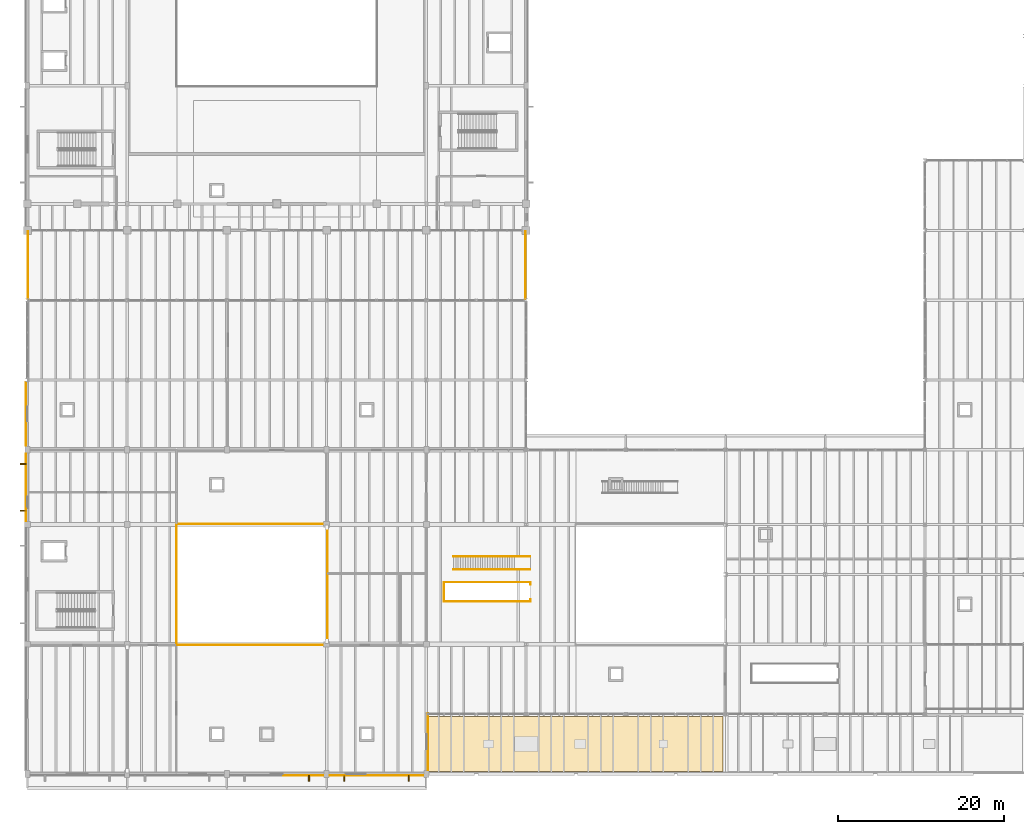
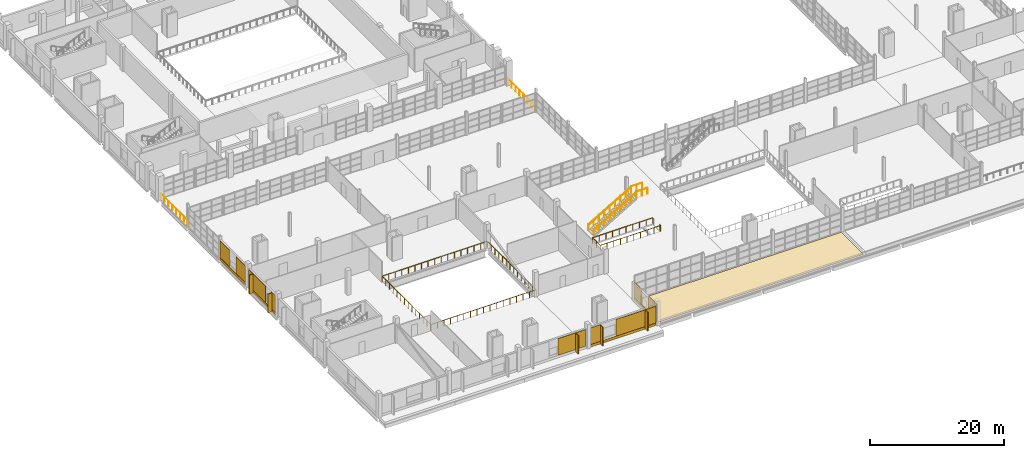
# One storey, part 102 of 114: 19 coverings, 9 railings, 5 shading devices.
"""IFC4 building model written with IfcOpenShell, lengths in metres."""

from ifc_helpers import new_model, si_unit, direction, frame, origin, origin_2d, place, context, subcontext, project, spatial, polyline, rectangle, circle, outline, extrude, material, layer, layer_set, type_object, element, save


model = new_model("IFC4")

# Units and contexts
model_context = context("Model", 3, precision=1e-05, world=origin(), true_north=direction((0.0, 1.0)))
body_context = subcontext(model_context, "Body", "Model", "MODEL_VIEW")
ifc_project = project(units=[si_unit("LENGTHUNIT", "METRE"), si_unit("AREAUNIT", "SQUARE_METRE"), si_unit("VOLUMEUNIT", "CUBIC_METRE"), si_unit("PLANEANGLEUNIT", "RADIAN"), si_unit("MASSUNIT", "GRAM", prefix="KILO")], contexts=[model_context])

# Site, building, storey
site_placement = place(None, origin())
site = spatial("IfcSite", under=ifc_project, at=site_placement, CompositionType="ELEMENT")
building_placement = place(site_placement, origin())
building = spatial("IfcBuilding", under=site, at=building_placement, Name="Kelmvaro Bay Concert Hall", CompositionType="ELEMENT")
storey_placement = place(building_placement, frame((0.0, 0.0, 4.800048828125)))
storey = spatial("IfcBuildingStorey", under=building, at=storey_placement, Name="L01", CompositionType="ELEMENT", Elevation=4.800048828125)

# Railings
ifc_material_1 = material(Name="Architectural Bronze and Laminated Glass", Category="glass")
railing_type_1 = type_object("IfcRailingType", Name="Auditorium Balcony Acoustic Brass Guard 1120", PredefinedType="BALUSTRADE", material=ifc_material_1)
railing_1_placement = place(storey_placement, frame((17.919921875, 15.52001953125, 0.0)))
element("IfcRailing", 1, at=railing_1_placement, inside=storey, type_object=railing_type_1, Name="L01 Balcony Guard 016", PredefinedType="BALUSTRADE", context=body_context, shape_type="SweptSolid", body=[
    extrude(circle(Radius=0.02392578125, at=origin_2d()), frame((0.0, 0.0, 1.09619140625), z_axis=(1.0, 0.0, 0.0), x_axis=(0.0, 1.0, 0.0)), (0.0, 0.0, 1.0), 18.16015625),
    extrude(circle(Radius=0.02392578125, at=origin_2d()), frame((18.16015625, 0.0, 1.09619140625), z_axis=(0.0, 1.0, 0.0), x_axis=(-1.0, 0.0, 0.0)), (0.0, 0.0, 1.0), 14.530029296875),
    extrude(circle(Radius=0.02099609375, at=origin_2d()), origin(), (0.0, 0.0, 1.0), 1.072021484375),
    extrude(circle(Radius=0.02099609375, at=origin_2d()), frame((1.135009765625, 0.0, 0.0)), (0.0, 0.0, 1.0), 1.072021484375),
    extrude(circle(Radius=0.02099609375, at=origin_2d()), frame((2.27001953125, 0.0, 0.0)), (0.0, 0.0, 1.0), 1.072021484375),
    extrude(circle(Radius=0.02099609375, at=origin_2d()), frame((3.405029296875, 0.0, 0.0)), (0.0, 0.0, 1.0), 1.072021484375),
    extrude(circle(Radius=0.02099609375, at=origin_2d()), frame((4.5400390625, 0.0, 0.0)), (0.0, 0.0, 1.0), 1.072021484375),
    extrude(circle(Radius=0.02099609375, at=origin_2d()), frame((5.675048828125, 0.0, 0.0)), (0.0, 0.0, 1.0), 1.072021484375),
    extrude(circle(Radius=0.02099609375, at=origin_2d()), frame((6.81005859375, 0.0, 0.0)), (0.0, 0.0, 1.0), 1.072021484375),
    extrude(circle(Radius=0.02099609375, at=origin_2d()), frame((7.945068359375, 0.0, 0.0)), (0.0, 0.0, 1.0), 1.072021484375),
    extrude(circle(Radius=0.02099609375, at=origin_2d()), frame((9.080078125, 0.0, 0.0)), (0.0, 0.0, 1.0), 1.072021484375),
    extrude(circle(Radius=0.02099609375, at=origin_2d()), frame((10.215087890625, 0.0, 0.0)), (0.0, 0.0, 1.0), 1.072021484375),
    extrude(circle(Radius=0.02099609375, at=origin_2d()), frame((11.35009765625, 0.0, 0.0)), (0.0, 0.0, 1.0), 1.072021484375),
    extrude(circle(Radius=0.02099609375, at=origin_2d()), frame((12.485107421875, 0.0, 0.0)), (0.0, 0.0, 1.0), 1.072021484375),
    extrude(circle(Radius=0.02099609375, at=origin_2d()), frame((13.6201171875, 0.0, 0.0)), (0.0, 0.0, 1.0), 1.072021484375),
    extrude(circle(Radius=0.02099609375, at=origin_2d()), frame((14.755126953125, 0.0, 0.0)), (0.0, 0.0, 1.0), 1.072021484375),
    extrude(circle(Radius=0.02099609375, at=origin_2d()), frame((15.89013671875, 0.0, 0.0)), (0.0, 0.0, 1.0), 1.072021484375),
    extrude(circle(Radius=0.02099609375, at=origin_2d()), frame((17.025146484375, 0.0, 0.0)), (0.0, 0.0, 1.0), 1.072021484375),
    extrude(circle(Radius=0.02099609375, at=origin_2d()), frame((18.16015625, 0.0, 0.0)), (0.0, 0.0, 1.0), 1.072021484375),
    extrude(circle(Radius=0.02099609375, at=origin_2d()), frame((18.16015625, 1.11767578125, 0.0)), (0.0, 0.0, 1.0), 1.072021484375),
    extrude(circle(Radius=0.02099609375, at=origin_2d()), frame((18.16015625, 2.2353515625, 0.0)), (0.0, 0.0, 1.0), 1.072021484375),
    extrude(circle(Radius=0.02099609375, at=origin_2d()), frame((18.16015625, 3.35302734375, 0.0)), (0.0, 0.0, 1.0), 1.072021484375),
    extrude(circle(Radius=0.02099609375, at=origin_2d()), frame((18.16015625, 4.470703125, 0.0)), (0.0, 0.0, 1.0), 1.072021484375),
    extrude(circle(Radius=0.02099609375, at=origin_2d()), frame((18.16015625, 5.58837890625, 0.0)), (0.0, 0.0, 1.0), 1.072021484375),
    extrude(circle(Radius=0.02099609375, at=origin_2d()), frame((18.16015625, 6.7060546875, 0.0)), (0.0, 0.0, 1.0), 1.072021484375),
    extrude(circle(Radius=0.02099609375, at=origin_2d()), frame((18.16015625, 7.823974609375, 0.0)), (0.0, 0.0, 1.0), 1.072021484375),
    extrude(circle(Radius=0.02099609375, at=origin_2d()), frame((18.16015625, 8.941650390625, 0.0)), (0.0, 0.0, 1.0), 1.072021484375),
    extrude(circle(Radius=0.02099609375, at=origin_2d()), frame((18.16015625, 10.059326171875, 0.0)), (0.0, 0.0, 1.0), 1.072021484375),
    extrude(circle(Radius=0.02099609375, at=origin_2d()), frame((18.16015625, 11.177001953125, 0.0)), (0.0, 0.0, 1.0), 1.072021484375),
    extrude(circle(Radius=0.02099609375, at=origin_2d()), frame((18.16015625, 12.294677734375, 0.0)), (0.0, 0.0, 1.0), 1.072021484375),
    extrude(circle(Radius=0.02099609375, at=origin_2d()), frame((18.16015625, 13.412353515625, 0.0)), (0.0, 0.0, 1.0), 1.072021484375),
    extrude(circle(Radius=0.02099609375, at=origin_2d()), frame((18.16015625, 14.530029296875, 0.0)), (0.0, 0.0, 1.0), 1.072021484375),
])
railing_2_placement = place(storey_placement, frame((36.050048828125, 30.080078125, 0.0)))
element("IfcRailing", 2, at=railing_2_placement, inside=storey, type_object=railing_type_1, Name="L01 Balcony Guard 017", PredefinedType="BALUSTRADE", context=body_context, shape_type="SweptSolid", body=[
    extrude(circle(Radius=0.02392578125, at=origin_2d()), frame((0.0, 0.0, 1.09619140625), z_axis=(-1.0, 0.0, 0.0), x_axis=(0.0, -1.0, 0.0)), (0.0, 0.0, 1.0), 18.130126953125),
    extrude(circle(Radius=0.02392578125, at=origin_2d()), frame((-18.130126953125, 0.0, 1.09619140625), z_axis=(0.0, -1.0, 0.0), x_axis=(1.0, 0.0, 0.0)), (0.0, 0.0, 1.0), 14.530029296875),
    extrude(circle(Radius=0.02099609375, at=origin_2d()), origin(), (0.0, 0.0, 1.0), 1.072021484375),
    extrude(circle(Radius=0.02099609375, at=origin_2d()), frame((-1.133056640625, 0.0, 0.0)), (0.0, 0.0, 1.0), 1.072021484375),
    extrude(circle(Radius=0.02099609375, at=origin_2d()), frame((-2.266357421875, 0.0, 0.0)), (0.0, 0.0, 1.0), 1.072021484375),
    extrude(circle(Radius=0.02099609375, at=origin_2d()), frame((-3.3994140625, 0.0, 0.0)), (0.0, 0.0, 1.0), 1.072021484375),
    extrude(circle(Radius=0.02099609375, at=origin_2d()), frame((-4.532470703125, 0.0, 0.0)), (0.0, 0.0, 1.0), 1.072021484375),
    extrude(circle(Radius=0.02099609375, at=origin_2d()), frame((-5.665771484375, 0.0, 0.0)), (0.0, 0.0, 1.0), 1.072021484375),
    extrude(circle(Radius=0.02099609375, at=origin_2d()), frame((-6.798828125, 0.0, 0.0)), (0.0, 0.0, 1.0), 1.072021484375),
    extrude(circle(Radius=0.02099609375, at=origin_2d()), frame((-7.931884765625, 0.0, 0.0)), (0.0, 0.0, 1.0), 1.072021484375),
    extrude(circle(Radius=0.02099609375, at=origin_2d()), frame((-9.06494140625, 0.0, 0.0)), (0.0, 0.0, 1.0), 1.072021484375),
    extrude(circle(Radius=0.02099609375, at=origin_2d()), frame((-10.1982421875, 0.0, 0.0)), (0.0, 0.0, 1.0), 1.072021484375),
    extrude(circle(Radius=0.02099609375, at=origin_2d()), frame((-11.331298828125, 0.0, 0.0)), (0.0, 0.0, 1.0), 1.072021484375),
    extrude(circle(Radius=0.02099609375, at=origin_2d()), frame((-12.46435546875, 0.0, 0.0)), (0.0, 0.0, 1.0), 1.072021484375),
    extrude(circle(Radius=0.02099609375, at=origin_2d()), frame((-13.59765625, 0.0, 0.0)), (0.0, 0.0, 1.0), 1.072021484375),
    extrude(circle(Radius=0.02099609375, at=origin_2d()), frame((-14.730712890625, 0.0, 0.0)), (0.0, 0.0, 1.0), 1.072021484375),
    extrude(circle(Radius=0.02099609375, at=origin_2d()), frame((-15.86376953125, 0.0, 0.0)), (0.0, 0.0, 1.0), 1.072021484375),
    extrude(circle(Radius=0.02099609375, at=origin_2d()), frame((-16.9970703125, 0.0, 0.0)), (0.0, 0.0, 1.0), 1.072021484375),
    extrude(circle(Radius=0.02099609375, at=origin_2d()), frame((-18.130126953125, 0.0, 0.0)), (0.0, 0.0, 1.0), 1.072021484375),
    extrude(circle(Radius=0.02099609375, at=origin_2d()), frame((-18.130126953125, -1.11767578125, 0.0)), (0.0, 0.0, 1.0), 1.072021484375),
    extrude(circle(Radius=0.02099609375, at=origin_2d()), frame((-18.130126953125, -2.2353515625, 0.0)), (0.0, 0.0, 1.0), 1.072021484375),
    extrude(circle(Radius=0.02099609375, at=origin_2d()), frame((-18.130126953125, -3.35302734375, 0.0)), (0.0, 0.0, 1.0), 1.072021484375),
    extrude(circle(Radius=0.02099609375, at=origin_2d()), frame((-18.130126953125, -4.470703125, 0.0)), (0.0, 0.0, 1.0), 1.072021484375),
    extrude(circle(Radius=0.02099609375, at=origin_2d()), frame((-18.130126953125, -5.58837890625, 0.0)), (0.0, 0.0, 1.0), 1.072021484375),
    extrude(circle(Radius=0.02099609375, at=origin_2d()), frame((-18.130126953125, -6.7060546875, 0.0)), (0.0, 0.0, 1.0), 1.072021484375),
    extrude(circle(Radius=0.02099609375, at=origin_2d()), frame((-18.130126953125, -7.823974609375, 0.0)), (0.0, 0.0, 1.0), 1.072021484375),
    extrude(circle(Radius=0.02099609375, at=origin_2d()), frame((-18.130126953125, -8.941650390625, 0.0)), (0.0, 0.0, 1.0), 1.072021484375),
    extrude(circle(Radius=0.02099609375, at=origin_2d()), frame((-18.130126953125, -10.059326171875, 0.0)), (0.0, 0.0, 1.0), 1.072021484375),
    extrude(circle(Radius=0.02099609375, at=origin_2d()), frame((-18.130126953125, -11.177001953125, 0.0)), (0.0, 0.0, 1.0), 1.072021484375),
    extrude(circle(Radius=0.02099609375, at=origin_2d()), frame((-18.130126953125, -12.294677734375, 0.0)), (0.0, 0.0, 1.0), 1.072021484375),
    extrude(circle(Radius=0.02099609375, at=origin_2d()), frame((-18.130126953125, -13.412353515625, 0.0)), (0.0, 0.0, 1.0), 1.072021484375),
    extrude(circle(Radius=0.02099609375, at=origin_2d()), frame((-18.130126953125, -14.530029296875, 0.0)), (0.0, 0.0, 1.0), 1.072021484375),
])

# Shading devices
ifc_material_2 = material(Name="Anodised Extruded Aluminium 6063-T6", Category="aluminium")
ifc_layer_1 = layer(ifc_material_2, 3.39990234375)
ifc_layer_set_1 = layer_set([ifc_layer_1], Name="Anodised Extruded Aluminium 6063-T6")
shading_device_type = type_object("IfcShadingDeviceType", Name="Bauhaus Vertical Solar Brise-Soleil Fin 720x3400", PredefinedType="SHUTTER", material=ifc_layer_set_1)
for number, where, z_axis, x_axis, name in (
    (3, (33.8759765625, -0.506103515625, 0.06005859375), (0.0, 0.0, 1.0), (-1.0, 0.0, 0.0), "L01 Solar Brise-Soleil Fin 106"),
    (4, (45.8759765625, -0.506103515625, 0.06005859375), (0.0, 0.0, 1.0), (-1.0, 0.0, 0.0), "L01 Solar Brise-Soleil Fin 108"),
    (5, (38.1240234375, -0.506103515625, 0.06005859375), (0.0, 0.0, 1.0), (-1.0, 0.0, 0.0), "L01 Solar Brise-Soleil Fin 109"),
    (6, (-0.506103515625, 31.669921875, 0.06005859375), (0.0, 0.0, 1.0), (0.0, 1.0, 0.0), "L01 Solar Brise-Soleil Fin 112"),
    (7, (-0.506103515625, 37.280029296875, 0.06005859375), (0.0, 0.0, 1.0), (0.0, 1.0, 0.0), "L01 Solar Brise-Soleil Fin 113"),
):
    element("IfcShadingDevice", number, at=place(storey_placement, frame(where, z_axis=z_axis, x_axis=x_axis)), inside=storey, type_object=shading_device_type, Name=name, PredefinedType="SHUTTER", context=body_context, shape_type="SweptSolid", body=[
        extrude(rectangle(XDim=0.159912109375, YDim=0.719970703125, at=origin_2d()), origin(), (0.0, 0.0, 1.0), 3.39990234375),
    ])

# Coverings
ifc_material_3 = material(Name="PVDF-Coated Architectural Aluminium", Category="aluminium")
ifc_layer_2 = layer(ifc_material_3, 0.0400390625)
ifc_layer_set_2 = layer_set([ifc_layer_2], Name="PVDF-Coated Architectural Aluminium")
covering_type_1 = type_object("IfcCoveringType", Name="De Stijl Enamelled Aluminium Fascia Panel 40", PredefinedType="CLADDING", material=ifc_layer_set_2)
for number, where, z_axis, x_axis, name in (
    (8, (33.8759765625, -0.506103515625, 0.06005859375), (0.0, 0.0, 1.0), (-1.0, 0.0, 0.0), "L01 Architectural Vertical Fin Cladding 0540"),
    (9, (45.8759765625, -0.506103515625, 0.06005859375), (0.0, 0.0, 1.0), (-1.0, 0.0, 0.0), "L01 Architectural Vertical Fin Cladding 0545"),
    (10, (38.1240234375, -0.506103515625, 0.06005859375), (0.0, 0.0, 1.0), (-1.0, 0.0, 0.0), "L01 Architectural Vertical Fin Cladding 0546"),
    (11, (-0.506103515625, 31.669921875, 0.06005859375), (0.0, 0.0, 1.0), (0.0, 1.0, 0.0), "L01 Architectural Vertical Fin Cladding 0561"),
    (12, (-0.506103515625, 37.280029296875, 0.06005859375), (0.0, 0.0, 1.0), (0.0, 1.0, 0.0), "L01 Architectural Vertical Fin Cladding 0562"),
):
    element("IfcCovering", number, at=place(storey_placement, frame(where, z_axis=z_axis, x_axis=x_axis)), inside=storey, type_object=covering_type_1, Name=name, PredefinedType="CLADDING", context=body_context, shape_type="SweptSolid", body=[
        extrude(rectangle(XDim=0.139892578125, YDim=0.699951171875, at=origin_2d()), origin(), (0.0, 0.0, 1.0), 3.39990234375),
    ])
ifc_material_4 = material(Name="Honed Florida Limestone Travertine", Category="masonry")
ifc_layer_3 = layer(ifc_material_4, 0.054931640625)
ifc_layer_set_3 = layer_set([ifc_layer_3], Name="Honed Florida Limestone Travertine")
covering_type_2 = type_object("IfcCoveringType", Name="Honed Florida Travertine Rainscreen Cladding 55", PredefinedType="CLADDING", material=ifc_layer_set_3)
covering_1_placement = place(storey_placement, frame((33.2099609375, -0.175537109375, 0.52001953125), z_axis=(0.0, 0.0, 1.0), x_axis=(-1.0, 0.0, 0.0)))
element("IfcCovering", 13, at=covering_1_placement, inside=storey, type_object=covering_type_2, Name="L01 Travertine Pier Panel 0542", PredefinedType="CLADDING", context=body_context, shape_type="SweptSolid", body=[
    extrude(rectangle(XDim=4.820068359375, YDim=0.054931640625, at=origin_2d()), origin(), (0.0, 0.0, 1.0), 3.04296875),
])
covering_2_placement = place(storey_placement, frame((42.0, -0.175537109375, 0.0400390625), z_axis=(0.0, 0.0, 1.0), x_axis=(-1.0, 0.0, 0.0)))
element("IfcCovering", 14, at=covering_2_placement, inside=storey, type_object=covering_type_2, Name="L01 Travertine Sill Band 0544", PredefinedType="CLADDING", context=body_context, shape_type="SweptSolid", body=[
    extrude(rectangle(XDim=11.280029296875, YDim=0.054931640625, at=origin_2d()), origin(), (0.0, 0.0, 1.0), 0.4599609375),
])
covering_3_placement = place(storey_placement, frame((44.2060546875, -0.175537109375, 0.52001953125), z_axis=(0.0, 0.0, 1.0), x_axis=(-1.0, 0.0, 0.0)))
element("IfcCovering", 15, at=covering_3_placement, inside=storey, type_object=covering_type_2, Name="L01 Travertine Pier Panel 0547", PredefinedType="CLADDING", context=body_context, shape_type="SweptSolid", body=[
    extrude(rectangle(XDim=6.827880859375, YDim=0.054931640625, at=origin_2d()), origin(), (0.0, 0.0, 1.0), 3.04296875),
])
covering_4_placement = place(storey_placement, frame((37.285888671875, -0.175537109375, 0.52001953125), z_axis=(0.0, 0.0, 1.0), x_axis=(-1.0, 0.0, 0.0)))
element("IfcCovering", 16, at=covering_4_placement, inside=storey, type_object=covering_type_2, Name="L01 Travertine Pier Panel 0548", PredefinedType="CLADDING", context=body_context, shape_type="SweptSolid", body=[
    extrude(rectangle(XDim=1.81201171875, YDim=0.054931640625, at=origin_2d()), origin(), (0.0, 0.0, 1.0), 3.04296875),
])
covering_5_placement = place(storey_placement, frame((48.175537109375, 3.875, 0.0400390625), z_axis=(0.0, 0.0, 1.0), x_axis=(0.0, -1.0, 0.0)))
element("IfcCovering", 17, at=covering_5_placement, inside=storey, type_object=covering_type_2, Name="L01 Travertine Sill Band 0552", PredefinedType="CLADDING", context=body_context, shape_type="SweptSolid", body=[
    extrude(rectangle(XDim=6.830078125, YDim=0.054931640625, at=origin_2d()), origin(), (0.0, 0.0, 1.0), 0.4599609375),
])
for number, where, z_axis, x_axis, name in (
    (18, (48.175537109375, 6.072509765625, 0.52001953125), (0.0, 0.0, 1.0), (0.0, -1.0, 0.0), "L01 Travertine Pier Panel 0553"),
    (19, (48.175537109375, 1.677490234375, 0.52001953125), (0.0, 0.0, 1.0), (0.0, -1.0, 0.0), "L01 Travertine Pier Panel 0554"),
):
    element("IfcCovering", number, at=place(storey_placement, frame(where, z_axis=z_axis, x_axis=x_axis)), inside=storey, type_object=covering_type_2, Name=name, PredefinedType="CLADDING", context=body_context, shape_type="SweptSolid", body=[
        extrude(rectangle(XDim=2.39501953125, YDim=0.054931640625, at=origin_2d()), origin(), (0.0, 0.0, 1.0), 2.803955078125),
    ])
covering_6_placement = place(storey_placement, frame((-0.175537109375, 34.47509765625, 0.0400390625), z_axis=(0.0, 0.0, 1.0), x_axis=(0.0, 1.0, 0.0)))
element("IfcCovering", 20, at=covering_6_placement, inside=storey, type_object=covering_type_2, Name="L01 Travertine Sill Band 0560", PredefinedType="CLADDING", context=body_context, shape_type="SweptSolid", body=[
    extrude(rectangle(XDim=8.1298828125, YDim=0.054931640625, at=origin_2d()), origin(), (0.0, 0.0, 1.0), 0.4599609375),
])
covering_7_placement = place(storey_placement, frame((-0.175537109375, 31.157470703125, 0.52001953125), z_axis=(0.0, 0.0, 1.0), x_axis=(0.0, 1.0, 0.0)))
element("IfcCovering", 21, at=covering_7_placement, inside=storey, type_object=covering_type_2, Name="L01 Travertine Pier Panel 0563", PredefinedType="CLADDING", context=body_context, shape_type="SweptSolid", body=[
    extrude(rectangle(XDim=1.455078125, YDim=0.054931640625, at=origin_2d()), origin(), (0.0, 0.0, 1.0), 3.0390625),
])
covering_8_placement = place(storey_placement, frame((-0.175537109375, 35.9775390625, 0.52001953125), z_axis=(0.0, 0.0, 1.0), x_axis=(0.0, 1.0, 0.0)))
element("IfcCovering", 22, at=covering_8_placement, inside=storey, type_object=covering_type_2, Name="L01 Travertine Pier Panel 0564", PredefinedType="CLADDING", context=body_context, shape_type="SweptSolid", body=[
    extrude(rectangle(XDim=5.0849609375, YDim=0.054931640625, at=origin_2d()), origin(), (0.0, 0.0, 1.0), 3.0390625),
])
covering_9_placement = place(storey_placement, frame((-0.175537109375, 43.306884765625, 0.0400390625), z_axis=(0.0, 0.0, 1.0), x_axis=(0.0, 1.0, 0.0)))
element("IfcCovering", 23, at=covering_9_placement, inside=storey, type_object=covering_type_2, Name="L01 Travertine Sill Band 0968", PredefinedType="CLADDING", context=body_context, shape_type="SweptSolid", body=[
    extrude(rectangle(XDim=7.694091796875, YDim=0.054931640625, at=origin_2d()), origin(), (0.0, 0.0, 1.0), 0.4599609375),
])
for number, where, z_axis, x_axis, name in (
    (24, (-0.175537109375, 40.893310546875, 0.52001953125), (0.0, 0.0, 1.0), (0.0, 1.0, 0.0), "L01 Travertine Pier Panel 0969"),
    (25, (-0.175537109375, 45.72021484375, 0.52001953125), (0.0, 0.0, 1.0), (0.0, 1.0, 0.0), "L01 Travertine Pier Panel 0970"),
):
    element("IfcCovering", number, at=place(storey_placement, frame(where, z_axis=z_axis, x_axis=x_axis)), inside=storey, type_object=covering_type_2, Name=name, PredefinedType="CLADDING", context=body_context, shape_type="SweptSolid", body=[
        extrude(rectangle(XDim=2.826904296875, YDim=0.054931640625, at=origin_2d()), origin(), (0.0, 0.0, 1.0), 3.048095703125),
    ])
ifc_material_5 = material(Name="White Reflective SBS Roofing Membrane")
ifc_layer_4 = layer(ifc_material_5, 0.06494140625)
ifc_layer_set_4 = layer_set([ifc_layer_4], Name="White Reflective SBS Roofing Membrane")
covering_type_3 = type_object("IfcCoveringType", Name="SBS Modified Bitumen Cool Roof Membrane 65", PredefinedType="ROOFING", material=ifc_layer_set_4)
covering_10_placement = place(storey_placement, frame((0.0, 0.0, 0.06005859375)))
element("IfcCovering", 26, at=covering_10_placement, inside=storey, type_object=covering_type_3, Name="L01 Cool Roof Membrane 07", PredefinedType="ROOFING", context=body_context, shape_type="SweptSolid", body=[
    extrude(outline(polyline([(48.300048828125, 0.300048828125), (83.699951171875, 0.300048828125), (83.699951171875, 6.89990234375), (48.300048828125, 6.89990234375), (48.300048828125, 0.300048828125)])), origin(), (0.0, 0.0, 1.0), 0.06494140625),
])

# Railings
ifc_material_6 = material(Name="Brushed Stainless Steel 316", Category="steel")
railing_type_2 = type_object("IfcRailingType", Name="Stair Stainless Wall Handrail 900", PredefinedType="HANDRAIL", material=ifc_material_6)
for number, where, name in (
    (27, (51.239990234375, 24.614990234375, 0.173095703125), "L01 FS-02 Handrail R"),
    (28, (51.239990234375, 26.18505859375, 0.173095703125), "L01 FS-02 Handrail L"),
):
    element("IfcRailing", number, at=place(storey_placement, frame(where)), inside=storey, type_object=railing_type_2, Name=name, PredefinedType="HANDRAIL", context=body_context, shape_type="SweptSolid", body=[
        extrude(circle(Radius=0.02392578125, at=origin_2d()), frame((0.0, 0.0, 0.8759765625), z_axis=(0.862512776103, 0.0, 0.506035286377), x_axis=(0.0, 1.0, 0.0)), (0.0, 0.0, 1.0), 8.550537109375),
        extrude(circle(Radius=0.02099609375, at=origin_2d()), origin(), (0.0, 0.0, 1.0), 0.851806640625),
        extrude(circle(Radius=0.02099609375, at=origin_2d()), frame((0.921875, 0.0, 0.540771484375)), (0.0, 0.0, 1.0), 0.851806640625),
        extrude(circle(Radius=0.02099609375, at=origin_2d()), frame((1.84375, 0.0, 1.081787109375)), (0.0, 0.0, 1.0), 0.851806640625),
        extrude(circle(Radius=0.02099609375, at=origin_2d()), frame((2.765625, 0.0, 1.62255859375)), (0.0, 0.0, 1.0), 0.851806640625),
        extrude(circle(Radius=0.02099609375, at=origin_2d()), frame((3.6875, 0.0, 2.16357421875)), (0.0, 0.0, 1.0), 0.851806640625),
        extrude(circle(Radius=0.02099609375, at=origin_2d()), frame((4.609375, 0.0, 2.704345703125)), (0.0, 0.0, 1.0), 0.851806640625),
        extrude(circle(Radius=0.02099609375, at=origin_2d()), frame((5.53125, 0.0, 3.2451171875)), (0.0, 0.0, 1.0), 0.851806640625),
        extrude(circle(Radius=0.02099609375, at=origin_2d()), frame((6.453125, 0.0, 3.7861328125)), (0.0, 0.0, 1.0), 0.851806640625),
        extrude(circle(Radius=0.02099609375, at=origin_2d()), frame((7.375, 0.0, 4.326904296875)), (0.0, 0.0, 1.0), 0.851806640625),
    ])
ifc_material_7 = material(Name="Powder-Coated Steel ASTM A500", Category="steel")
railing_type_3 = type_object("IfcRailingType", Name="Stair Well Painted Steel Guard 1100", PredefinedType="BALUSTRADE", material=ifc_material_7)
railing_3_placement = place(storey_placement, frame((51.239990234375, 24.614990234375, 0.173095703125)))
element("IfcRailing", 29, at=railing_3_placement, inside=storey, type_object=railing_type_3, Name="L01 FS-02 Flight and Landing Guard R", PredefinedType="BALUSTRADE", context=body_context, shape_type="SweptSolid", body=[
    extrude(circle(Radius=0.02392578125, at=origin_2d()), frame((0.0, 0.0, 1.076171875), z_axis=(0.862512776103, 0.0, 0.506035286377), x_axis=(0.0, 1.0, 0.0)), (0.0, 0.0, 1.0), 8.550537109375),
    extrude(circle(Radius=0.02392578125, at=origin_2d()), frame((7.375, 0.0, 5.40283203125), z_axis=(1.0, 0.0, 0.0), x_axis=(0.0, 1.0, 0.0)), (0.0, 0.0, 1.0), 1.885009765625),
    extrude(circle(Radius=0.02099609375, at=origin_2d()), origin(), (0.0, 0.0, 1.0), 1.052001953125),
    extrude(circle(Radius=0.02099609375, at=origin_2d()), frame((0.921875, 0.0, 0.540771484375)), (0.0, 0.0, 1.0), 1.052001953125),
    extrude(circle(Radius=0.02099609375, at=origin_2d()), frame((1.84375, 0.0, 1.081787109375)), (0.0, 0.0, 1.0), 1.052001953125),
    extrude(circle(Radius=0.02099609375, at=origin_2d()), frame((2.765625, 0.0, 1.62255859375)), (0.0, 0.0, 1.0), 1.052001953125),
    extrude(circle(Radius=0.02099609375, at=origin_2d()), frame((3.6875, 0.0, 2.16357421875)), (0.0, 0.0, 1.0), 1.052001953125),
    extrude(circle(Radius=0.02099609375, at=origin_2d()), frame((4.609375, 0.0, 2.704345703125)), (0.0, 0.0, 1.0), 1.052001953125),
    extrude(circle(Radius=0.02099609375, at=origin_2d()), frame((5.53125, 0.0, 3.2451171875)), (0.0, 0.0, 1.0), 1.052001953125),
    extrude(circle(Radius=0.02099609375, at=origin_2d()), frame((6.453125, 0.0, 3.7861328125)), (0.0, 0.0, 1.0), 1.052001953125),
    extrude(circle(Radius=0.02099609375, at=origin_2d()), frame((7.375, 0.0, 4.326904296875)), (0.0, 0.0, 1.0), 1.052001953125),
    extrude(circle(Radius=0.02099609375, at=origin_2d()), frame((8.3173828125, 0.0, 4.326904296875)), (0.0, 0.0, 1.0), 1.052001953125),
    extrude(circle(Radius=0.02099609375, at=origin_2d()), frame((9.260009765625, 0.0, 4.326904296875)), (0.0, 0.0, 1.0), 1.052001953125),
])
railing_4_placement = place(storey_placement, frame((51.239990234375, 26.18505859375, 0.173095703125)))
element("IfcRailing", 30, at=railing_4_placement, inside=storey, type_object=railing_type_3, Name="L01 FS-02 Flight and Landing Guard L", PredefinedType="BALUSTRADE", context=body_context, shape_type="SweptSolid", body=[
    extrude(circle(Radius=0.02392578125, at=origin_2d()), frame((0.0, 0.0, 1.076171875), z_axis=(0.862512776103, 0.0, 0.506035286377), x_axis=(0.0, 1.0, 0.0)), (0.0, 0.0, 1.0), 8.550537109375),
    extrude(circle(Radius=0.02392578125, at=origin_2d()), frame((7.375, 0.0, 5.40283203125), z_axis=(1.0, 0.0, 0.0), x_axis=(0.0, 1.0, 0.0)), (0.0, 0.0, 1.0), 1.885009765625),
    extrude(circle(Radius=0.02099609375, at=origin_2d()), origin(), (0.0, 0.0, 1.0), 1.052001953125),
    extrude(circle(Radius=0.02099609375, at=origin_2d()), frame((0.921875, 0.0, 0.540771484375)), (0.0, 0.0, 1.0), 1.052001953125),
    extrude(circle(Radius=0.02099609375, at=origin_2d()), frame((1.84375, 0.0, 1.081787109375)), (0.0, 0.0, 1.0), 1.052001953125),
    extrude(circle(Radius=0.02099609375, at=origin_2d()), frame((2.765625, 0.0, 1.62255859375)), (0.0, 0.0, 1.0), 1.052001953125),
    extrude(circle(Radius=0.02099609375, at=origin_2d()), frame((3.6875, 0.0, 2.16357421875)), (0.0, 0.0, 1.0), 1.052001953125),
    extrude(circle(Radius=0.02099609375, at=origin_2d()), frame((4.609375, 0.0, 2.704345703125)), (0.0, 0.0, 1.0), 1.052001953125),
    extrude(circle(Radius=0.02099609375, at=origin_2d()), frame((5.53125, 0.0, 3.2451171875)), (0.0, 0.0, 1.0), 1.052001953125),
    extrude(circle(Radius=0.02099609375, at=origin_2d()), frame((6.453125, 0.0, 3.7861328125)), (0.0, 0.0, 1.0), 1.052001953125),
    extrude(circle(Radius=0.02099609375, at=origin_2d()), frame((7.375, 0.0, 4.326904296875)), (0.0, 0.0, 1.0), 1.052001953125),
    extrude(circle(Radius=0.02099609375, at=origin_2d()), frame((8.3173828125, 0.0, 4.326904296875)), (0.0, 0.0, 1.0), 1.052001953125),
    extrude(circle(Radius=0.02099609375, at=origin_2d()), frame((9.260009765625, 0.0, 4.326904296875)), (0.0, 0.0, 1.0), 1.052001953125),
])
railing_5_placement = place(storey_placement, frame((60.5400390625, 21.02001953125, 0.0)))
element("IfcRailing", 31, at=railing_5_placement, inside=storey, type_object=railing_type_3, Name="L01 Feature Stair FS-01 Well Guard", PredefinedType="BALUSTRADE", context=body_context, shape_type="SweptSolid", body=[
    extrude(circle(Radius=0.02392578125, at=origin_2d()), frame((0.0, 0.0, 1.076171875), z_axis=(0.0, -1.0, 0.0), x_axis=(1.0, 0.0, 0.0)), (0.0, 0.0, 1.0), 0.280029296875),
    extrude(circle(Radius=0.02392578125, at=origin_2d()), frame((0.0, -0.280029296875, 1.076171875), z_axis=(-1.0, 0.0, 0.0), x_axis=(0.0, -1.0, 0.0)), (0.0, 0.0, 1.0), 10.400146484375),
    extrude(circle(Radius=0.02392578125, at=origin_2d()), frame((-10.400146484375, -0.280029296875, 1.076171875), z_axis=(0.0, 1.0, 0.0), x_axis=(-1.0, 0.0, 0.0)), (0.0, 0.0, 1.0), 2.320068359375),
    extrude(circle(Radius=0.02392578125, at=origin_2d()), frame((-10.400146484375, 2.0400390625, 1.076171875), z_axis=(1.0, 0.0, 0.0), x_axis=(0.0, 1.0, 0.0)), (0.0, 0.0, 1.0), 10.400146484375),
    extrude(circle(Radius=0.02392578125, at=origin_2d()), frame((0.0, 2.0400390625, 1.076171875), z_axis=(0.0, -1.0, 0.0), x_axis=(1.0, 0.0, 0.0)), (0.0, 0.0, 1.0), 0.280029296875),
    extrude(circle(Radius=0.02099609375, at=origin_2d()), origin(), (0.0, 0.0, 1.0), 1.052001953125),
    extrude(circle(Radius=0.02099609375, at=origin_2d()), frame((0.0, -0.280029296875, 0.0)), (0.0, 0.0, 1.0), 1.052001953125),
    extrude(circle(Radius=0.02099609375, at=origin_2d()), frame((-1.155517578125, -0.280029296875, 0.0)), (0.0, 0.0, 1.0), 1.052001953125),
    extrude(circle(Radius=0.02099609375, at=origin_2d()), frame((-2.31103515625, -0.280029296875, 0.0)), (0.0, 0.0, 1.0), 1.052001953125),
    extrude(circle(Radius=0.02099609375, at=origin_2d()), frame((-3.466796875, -0.280029296875, 0.0)), (0.0, 0.0, 1.0), 1.052001953125),
    extrude(circle(Radius=0.02099609375, at=origin_2d()), frame((-4.622314453125, -0.280029296875, 0.0)), (0.0, 0.0, 1.0), 1.052001953125),
    extrude(circle(Radius=0.02099609375, at=origin_2d()), frame((-5.77783203125, -0.280029296875, 0.0)), (0.0, 0.0, 1.0), 1.052001953125),
    extrude(circle(Radius=0.02099609375, at=origin_2d()), frame((-6.933349609375, -0.280029296875, 0.0)), (0.0, 0.0, 1.0), 1.052001953125),
    extrude(circle(Radius=0.02099609375, at=origin_2d()), frame((-8.089111328125, -0.280029296875, 0.0)), (0.0, 0.0, 1.0), 1.052001953125),
    extrude(circle(Radius=0.02099609375, at=origin_2d()), frame((-9.24462890625, -0.280029296875, 0.0)), (0.0, 0.0, 1.0), 1.052001953125),
    extrude(circle(Radius=0.02099609375, at=origin_2d()), frame((-10.400146484375, -0.280029296875, 0.0)), (0.0, 0.0, 1.0), 1.052001953125),
    extrude(circle(Radius=0.02099609375, at=origin_2d()), frame((-10.400146484375, 0.8798828125, 0.0)), (0.0, 0.0, 1.0), 1.052001953125),
    extrude(circle(Radius=0.02099609375, at=origin_2d()), frame((-10.400146484375, 2.0400390625, 0.0)), (0.0, 0.0, 1.0), 1.052001953125),
    extrude(circle(Radius=0.02099609375, at=origin_2d()), frame((-9.24462890625, 2.0400390625, 0.0)), (0.0, 0.0, 1.0), 1.052001953125),
    extrude(circle(Radius=0.02099609375, at=origin_2d()), frame((-8.089111328125, 2.0400390625, 0.0)), (0.0, 0.0, 1.0), 1.052001953125),
    extrude(circle(Radius=0.02099609375, at=origin_2d()), frame((-6.933349609375, 2.0400390625, 0.0)), (0.0, 0.0, 1.0), 1.052001953125),
    extrude(circle(Radius=0.02099609375, at=origin_2d()), frame((-5.77783203125, 2.0400390625, 0.0)), (0.0, 0.0, 1.0), 1.052001953125),
    extrude(circle(Radius=0.02099609375, at=origin_2d()), frame((-4.622314453125, 2.0400390625, 0.0)), (0.0, 0.0, 1.0), 1.052001953125),
    extrude(circle(Radius=0.02099609375, at=origin_2d()), frame((-3.466796875, 2.0400390625, 0.0)), (0.0, 0.0, 1.0), 1.052001953125),
    extrude(circle(Radius=0.02099609375, at=origin_2d()), frame((-2.31103515625, 2.0400390625, 0.0)), (0.0, 0.0, 1.0), 1.052001953125),
    extrude(circle(Radius=0.02099609375, at=origin_2d()), frame((-1.155517578125, 2.0400390625, 0.0)), (0.0, 0.0, 1.0), 1.052001953125),
    extrude(circle(Radius=0.02099609375, at=origin_2d()), frame((0.0, 2.0400390625, 0.0)), (0.0, 0.0, 1.0), 1.052001953125),
    extrude(circle(Radius=0.02099609375, at=origin_2d()), frame((0.0, 1.760009765625, 0.0)), (0.0, 0.0, 1.0), 1.052001953125),
])
ifc_material_8 = material(Name="Stainless Steel 316 and Laminated Glass", Category="steel")
railing_type_4 = type_object("IfcRailingType", Name="Waterfront Terrace Laminated Glass Guard 1100", PredefinedType="BALUSTRADE", material=ifc_material_8)
for number, where, name in (
    (32, (0.080078125, 57.1201171875, 0.0), "L01 Terrace Guard 001"),
    (33, (59.919921875, 57.1201171875, 0.0), "L01 Terrace Guard 002"),
):
    element("IfcRailing", number, at=place(storey_placement, frame(where)), inside=storey, type_object=railing_type_4, Name=name, PredefinedType="BALUSTRADE", context=body_context, shape_type="SweptSolid", body=[
        extrude(circle(Radius=0.02392578125, at=origin_2d()), frame((0.0, 0.0, 1.076171875), z_axis=(0.0, 1.0, 0.0), x_axis=(-1.0, 0.0, 0.0)), (0.0, 0.0, 1.0), 8.159912109375),
        extrude(circle(Radius=0.02099609375, at=origin_2d()), origin(), (0.0, 0.0, 1.0), 1.052001953125),
        extrude(circle(Radius=0.02099609375, at=origin_2d()), frame((0.0, 1.165771484375, 0.0)), (0.0, 0.0, 1.0), 1.052001953125),
        extrude(circle(Radius=0.02099609375, at=origin_2d()), frame((0.0, 2.331298828125, 0.0)), (0.0, 0.0, 1.0), 1.052001953125),
        extrude(circle(Radius=0.02099609375, at=origin_2d()), frame((0.0, 3.4970703125, 0.0)), (0.0, 0.0, 1.0), 1.052001953125),
        extrude(circle(Radius=0.02099609375, at=origin_2d()), frame((0.0, 4.662841796875, 0.0)), (0.0, 0.0, 1.0), 1.052001953125),
        extrude(circle(Radius=0.02099609375, at=origin_2d()), frame((0.0, 5.82861328125, 0.0)), (0.0, 0.0, 1.0), 1.052001953125),
        extrude(circle(Radius=0.02099609375, at=origin_2d()), frame((0.0, 6.994140625, 0.0)), (0.0, 0.0, 1.0), 1.052001953125),
        extrude(circle(Radius=0.02099609375, at=origin_2d()), frame((0.0, 8.159912109375, 0.0)), (0.0, 0.0, 1.0), 1.052001953125),
    ])

save(model, "model.ifc")
